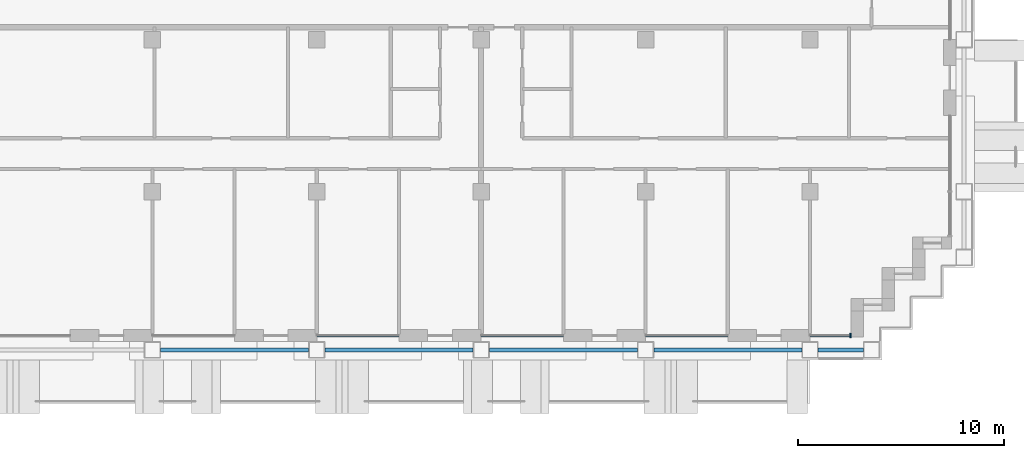
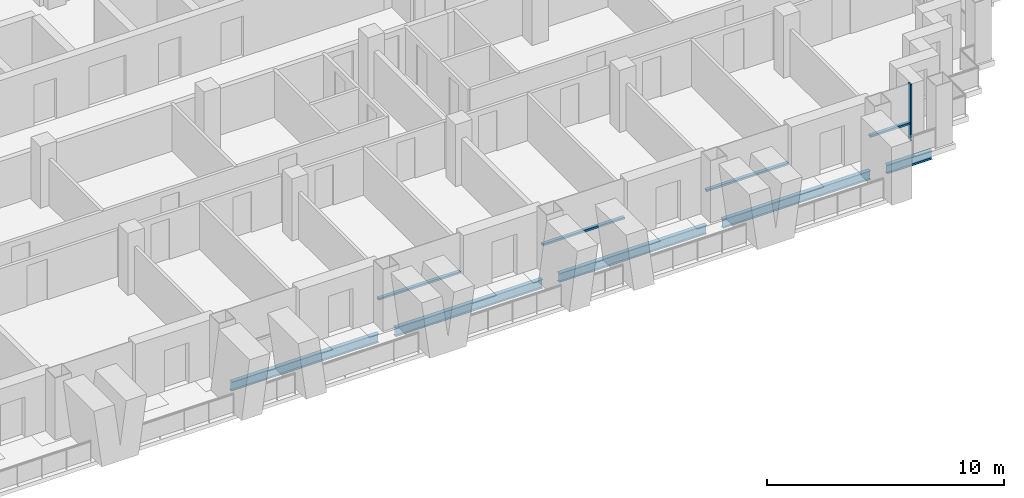
# One storey, part 3 of 17: 5 beams, 5 members, 4 elements without a shape of their own.
"""IFC4 building model written with IfcOpenShell, lengths in metres."""

from ifc_helpers import new_model, si_unit, direction, frame, origin, origin_2d, place, context, subcontext, project, spatial, rectangle, i_section, extrude, material, material_profile, profile_set, type_object, element, aggregate, save


model = new_model("IFC4")

# Units and contexts
model_context = context("Model", 3, precision=1e-05, world=origin(), true_north=direction((0.0, 1.0)))
body_context = subcontext(model_context, "Body", "Model", "MODEL_VIEW")
ifc_project = project(units=[si_unit("LENGTHUNIT", "METRE"), si_unit("AREAUNIT", "SQUARE_METRE"), si_unit("VOLUMEUNIT", "CUBIC_METRE"), si_unit("PLANEANGLEUNIT", "RADIAN"), si_unit("MASSUNIT", "GRAM", prefix="KILO")], contexts=[model_context])

# Site, building, storey
site_placement = place(None, origin())
site = spatial("IfcSite", under=ifc_project, at=site_placement, CompositionType="ELEMENT")
building_placement = place(site_placement, origin())
building = spatial("IfcBuilding", under=site, at=building_placement, Name="Vidyagriha Tower", CompositionType="ELEMENT")
storey_placement = place(building_placement, frame((0.0, 0.0, 139.0)))
storey = spatial("IfcBuildingStorey", under=building, at=storey_placement, Name="L36", CompositionType="ELEMENT", Elevation=139.0)

# Beams
ifc_material_1 = material(Name="Steel ASTM A992 Grade 50", Category="steel")
ifc_material_profile_1 = material_profile(ifc_material_1, i_section(OverallWidth=0.19189453125, OverallDepth=0.46240234375, WebThickness=0.010498046875, FlangeThickness=0.017578125, at=origin_2d()), Name="W18X60")
ifc_profile_set_1 = profile_set([ifc_material_profile_1], Name="Steel ASTM A992 Grade 50")
beam_type = type_object("IfcBeamType", Name="Edge beam W18X60", PredefinedType="SPANDREL", material=ifc_profile_set_1)
for number, where, z_axis, x_axis, name in (
    (1, (-5.60009765625, -17.10009765625, -0.51123046875), (1.0, 0.0, 0.0), (0.0, 1.0, 0.0), "st-beam-L36-S04"),
    (2, (2.39990234375, -17.10009765625, -0.51123046875), (1.0, 0.0, 0.0), (0.0, 1.0, 0.0), "st-beam-L36-S05"),
    (3, (10.39990234375, -17.10009765625, -0.51123046875), (1.0, 0.0, 0.0), (0.0, 1.0, 0.0), "st-beam-L36-S06"),
    (4, (18.39990234375, -17.10009765625, -0.51123046875), (1.0, 0.0, 0.0), (0.0, 1.0, 0.0), "st-beam-L36-S07"),
):
    element("IfcBeam", number, at=place(storey_placement, frame(where, z_axis=z_axis, x_axis=x_axis)), inside=storey, type_object=beam_type, Name=name, PredefinedType="SPANDREL", context=body_context, shape_type="SweptSolid", body=[
        extrude(i_section(OverallWidth=0.19189453125, OverallDepth=0.46240234375, WebThickness=0.010498046875, FlangeThickness=0.017578125, at=origin_2d()), origin(), (0.0, 0.0, 1.0), 7.2001953125),
    ])
beam_placement = place(storey_placement, frame((26.39990234375, -17.10009765625, -0.51123046875), z_axis=(1.0, 0.0, 0.0), x_axis=(0.0, 1.0, 0.0)))
element("IfcBeam", 5, at=beam_placement, inside=storey, type_object=beam_type, Name="st-beam-L36-S08", PredefinedType="SPANDREL", context=body_context, shape_type="SweptSolid", body=[
    extrude(i_section(OverallWidth=0.19189453125, OverallDepth=0.46240234375, WebThickness=0.010498046875, FlangeThickness=0.017578125, at=origin_2d()), origin(), (0.0, 0.0, 1.0), 2.2001953125),
])

# Curtain wall, member
ifc_material_2 = material(Name="Aluminium and glass curtain wall", Category="aluminium")
curtain_wall_type = type_object("IfcCurtainWallType", Name="Dwelling skin unitised curtain wall", PredefinedType="USERDEFINED", material=ifc_material_2)
curtain_wall_1_placement = place(storey_placement, origin())
curtain_wall_1 = element("IfcCurtainWall", 6, at=curtain_wall_1_placement, inside=storey, type_object=curtain_wall_type, Name="CW1 dwelling skin", ObjectType="UNITISED", PredefinedType="USERDEFINED")
ifc_material_3 = material(Name="Aluminium black anodised", Category="aluminium")
ifc_material_profile_2 = material_profile(ifc_material_3, rectangle(XDim=0.199951171875, YDim=0.070068359375, at=origin_2d()), Name="Mullion 70x200 black aluminium")
ifc_profile_set_2 = profile_set([ifc_material_profile_2], Name="Aluminium black anodised")
member_type_1 = type_object("IfcMemberType", Name="Mullion 70x200 black aluminium", PredefinedType="MULLION", material=ifc_profile_set_2)
member_1_placement = place(storey_placement, frame((27.965087890625, -16.39990234375, 0.0), z_axis=(0.0, 0.0, 1.0), x_axis=(0.0, 1.0, 0.0)))
member_1 = element("IfcMember", 7, at=member_1_placement, type_object=member_type_1, Name="CW1 mullion 2", PredefinedType="MULLION", context=body_context, shape_type="SweptSolid", body=[
    extrude(rectangle(XDim=0.199951171875, YDim=0.070068359375, at=origin_2d()), origin(), (0.0, 0.0, 1.0), 2.919921875),
])

curtain_wall_2_placement = place(storey_placement, origin())
curtain_wall_2 = element("IfcCurtainWall", 8, at=curtain_wall_2_placement, inside=storey, type_object=curtain_wall_type, Name="CW1 dwelling skin", ObjectType="UNITISED", PredefinedType="USERDEFINED")
ifc_material_4 = material(Name="Aluminium black anodised", Category="aluminium")
ifc_material_profile_3 = material_profile(ifc_material_4, rectangle(XDim=0.159912109375, YDim=0.10009765625, at=origin_2d()), Name="Transom 100x160 black aluminium")
ifc_profile_set_3 = profile_set([ifc_material_profile_3], Name="Aluminium black anodised")
member_type_2 = type_object("IfcMemberType", Name="Transom 100x160 black aluminium", PredefinedType="USERDEFINED", material=ifc_profile_set_3)
member_2_placement = place(storey_placement, frame((2.0, -16.39990234375, 0.89990234375), z_axis=(1.0, 0.0, 0.0), x_axis=(0.0, 1.0, 0.0)))
member_2 = element("IfcMember", 9, at=member_2_placement, type_object=member_type_2, Name="CW1 transom 1.1", ObjectType="TRANSOM", PredefinedType="USERDEFINED", context=body_context, shape_type="SweptSolid", body=[
    extrude(rectangle(XDim=0.159912109375, YDim=0.10009765625, at=origin_2d()), origin(), (0.0, 0.0, 1.0), 4.0),
])
aggregate(curtain_wall_2, [member_2])

curtain_wall_3_placement = place(storey_placement, origin())
curtain_wall_3 = element("IfcCurtainWall", 10, at=curtain_wall_3_placement, inside=storey, type_object=curtain_wall_type, Name="CW1 dwelling skin", ObjectType="UNITISED", PredefinedType="USERDEFINED")
member_3_placement = place(storey_placement, frame((10.0, -16.39990234375, 0.89990234375), z_axis=(1.0, 0.0, 0.0), x_axis=(0.0, 1.0, 0.0)))
member_3 = element("IfcMember", 11, at=member_3_placement, type_object=member_type_2, Name="CW1 transom 1.1", ObjectType="TRANSOM", PredefinedType="USERDEFINED", context=body_context, shape_type="SweptSolid", body=[
    extrude(rectangle(XDim=0.159912109375, YDim=0.10009765625, at=origin_2d()), origin(), (0.0, 0.0, 1.0), 4.0),
])
aggregate(curtain_wall_3, [member_3])

curtain_wall_4_placement = place(storey_placement, origin())
curtain_wall_4 = element("IfcCurtainWall", 12, at=curtain_wall_4_placement, inside=storey, type_object=curtain_wall_type, Name="CW1 dwelling skin", ObjectType="UNITISED", PredefinedType="USERDEFINED")
member_4_placement = place(storey_placement, frame((18.0, -16.39990234375, 0.89990234375), z_axis=(1.0, 0.0, 0.0), x_axis=(0.0, 1.0, 0.0)))
member_4 = element("IfcMember", 13, at=member_4_placement, type_object=member_type_2, Name="CW1 transom 1.1", ObjectType="TRANSOM", PredefinedType="USERDEFINED", context=body_context, shape_type="SweptSolid", body=[
    extrude(rectangle(XDim=0.159912109375, YDim=0.10009765625, at=origin_2d()), origin(), (0.0, 0.0, 1.0), 4.0),
])
aggregate(curtain_wall_4, [member_4])

# Member
member_5_placement = place(storey_placement, frame((26.0, -16.39990234375, 0.89990234375), z_axis=(1.0, 0.0, 0.0), x_axis=(0.0, 1.0, 0.0)))
member_5 = element("IfcMember", 14, at=member_5_placement, type_object=member_type_2, Name="CW1 transom 1.1", ObjectType="TRANSOM", PredefinedType="USERDEFINED", context=body_context, shape_type="SweptSolid", body=[
    extrude(rectangle(XDim=0.159912109375, YDim=0.10009765625, at=origin_2d()), origin(), (0.0, 0.0, 1.0), 1.929931640625),
])

aggregate(curtain_wall_1, [member_1, member_5])

save(model, "model.ifc")
